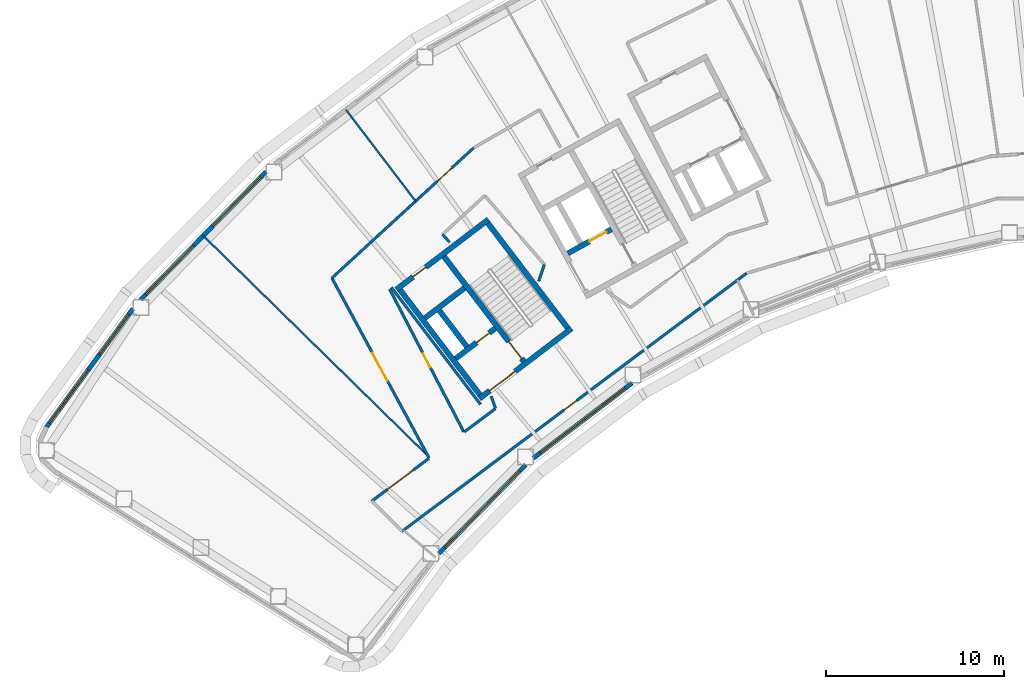
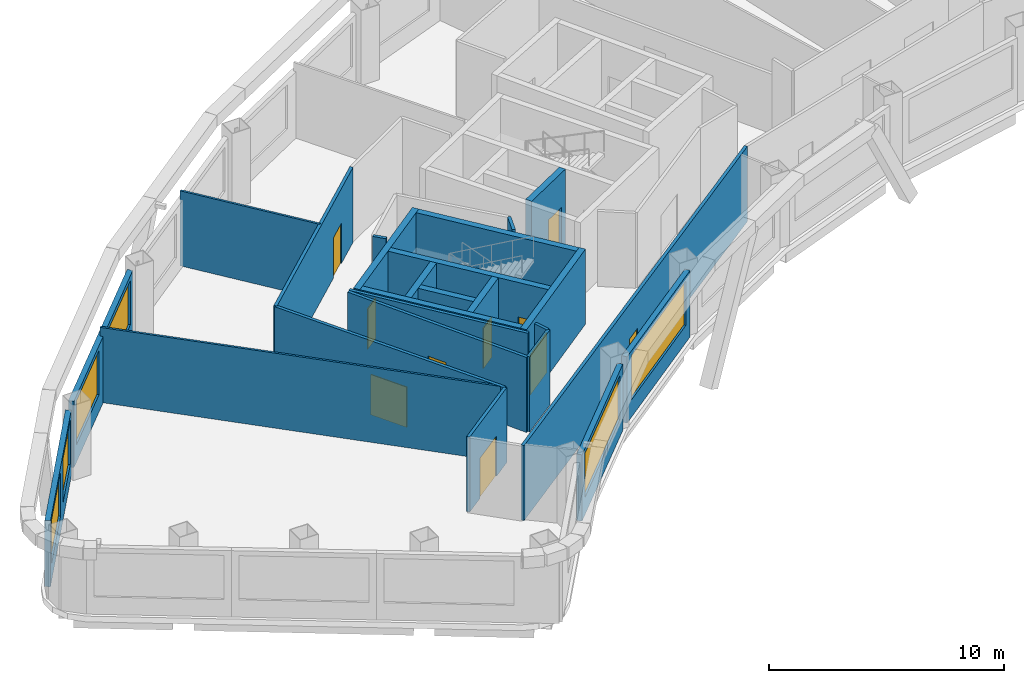
# One storey, part 5 of 16: 25 walls, 10 doors, 6 windows, 16 openings.
"""IFC4 building model written with IfcOpenShell, lengths in metres."""

from ifc_helpers import new_model, si_unit, direction, frame, frame_2d, origin, place, context, subcontext, project, spatial, rectangle, extrude, material, layer, layer_set, type_object, element, fill, save


model = new_model("IFC4")

# Units and contexts
model_context = context("Model", 3, precision=1e-05, world=origin(), true_north=direction((0.0, 1.0)))
body_context = subcontext(model_context, "Body", "Model", "MODEL_VIEW")
ifc_project = project(units=[si_unit("LENGTHUNIT", "METRE"), si_unit("AREAUNIT", "SQUARE_METRE"), si_unit("VOLUMEUNIT", "CUBIC_METRE"), si_unit("PLANEANGLEUNIT", "RADIAN"), si_unit("MASSUNIT", "GRAM", prefix="KILO")], contexts=[model_context])

# Site, building, storey
site_placement = place(None, origin())
site = spatial("IfcSite", under=ifc_project, at=site_placement, CompositionType="ELEMENT")
building_placement = place(site_placement, origin())
building = spatial("IfcBuilding", under=site, at=building_placement, Name="Tuul Gate Civic Tower", CompositionType="ELEMENT")
storey_placement = place(building_placement, frame((0.0, 0.0, 184.699951171875)))
storey = spatial("IfcBuildingStorey", under=building, at=storey_placement, Name="Level 42", CompositionType="ELEMENT", Elevation=184.699951171875)

# Wall, opening, door
ifc_material_1 = material(Name="Concrete C50/60", Category="concrete")
ifc_layer_1 = layer(ifc_material_1, 0.300048828125)
ifc_layer_set_1 = layer_set([ifc_layer_1], Name="Concrete C50/60")
wall_type_1 = type_object("IfcWallType", Name="Core wall C50/60", PredefinedType="SHEAR", material=ifc_layer_set_1)
wall_1_placement = place(storey_placement, frame((-31.19091796875, -13.669677734375, 0.0), z_axis=(0.0, 0.0, 1.0), x_axis=(-0.795606717756, -0.605813461934, 0.0)))
wall_1 = element("IfcWall", 1, at=wall_1_placement, inside=storey, type_object=wall_type_1, Name="Core wall", PredefinedType="SHEAR", context=body_context, shape_type="SweptSolid", body=[
    extrude(rectangle(XDim=6.5, YDim=0.300048828125, at=frame_2d((3.25, 0.0))), origin(), (0.0, 0.0, 1.0), 3.900146484375),
])
opening_1_placement = place(wall_1_placement, frame((3.97509765625, 0.0, 0.0)))
opening_1 = element("IfcOpeningElement", 2, at=opening_1_placement, cuts=wall_1, Name="Opening LB-W1-LOBBY-1", PredefinedType="OPENING", context=body_context, shape_type="SweptSolid", body=[
    extrude(rectangle(XDim=1.800048828125, YDim=2.10009765625, at=frame_2d((0.89990234375, 1.050048828125))), frame((0.0, 0.16015625, 0.0), z_axis=(0.0, -1.0, 0.0), x_axis=(1.0, 0.0, 0.0)), (0.0, 0.0, 1.0), 0.320068359375),
])
ifc_material_2 = material(Name="Steel", Category="steel")
door_type_1 = type_object("IfcDoorType", Name="Lobby door", OperationType="DOUBLE_DOOR_SINGLE_SWING", PredefinedType="DOOR", material=ifc_material_2)
door_1_placement = place(opening_1_placement, origin())
door_1 = element("IfcDoor", 3, at=door_1_placement, inside=storey, type_object=door_type_1, Name="Lobby door W1-LOBBY", OperationType="DOUBLE_DOOR_SINGLE_SWING", OverallHeight=2.10009765625, OverallWidth=1.800048828125, PredefinedType="DOOR", context=body_context, shape_type="SweptSolid", body=[
    extrude(rectangle(XDim=1.800048828125, YDim=2.10009765625, at=frame_2d((0.89990234375, 1.050048828125))), frame((0.0, 0.02490234375, 0.0), z_axis=(0.0, -1.0, 0.0), x_axis=(1.0, 0.0, 0.0)), (0.0, 0.0, 1.0), 0.050048828125),
])
fill(opening_1, door_1)

wall_2_placement = place(storey_placement, frame((-35.470947265625, -13.66064453125, 0.0), z_axis=(0.0, 0.0, 1.0), x_axis=(-0.795615822227, -0.605801504968, 0.0)))
wall_2 = element("IfcWall", 4, at=wall_2_placement, inside=storey, type_object=wall_type_1, Name="Core wall", PredefinedType="SHEAR", context=body_context, shape_type="SweptSolid", body=[
    extrude(rectangle(XDim=2.800048828125, YDim=0.300048828125, at=frame_2d((1.39990234375, 0.0))), origin(), (0.0, 0.0, 1.0), 3.900146484375),
])
opening_2_placement = place(wall_2_placement, frame((0.425048828125, 0.0, 0.0)))
opening_2 = element("IfcOpeningElement", 5, at=opening_2_placement, cuts=wall_2, Name="Opening FB-W1A1", PredefinedType="OPENING", context=body_context, shape_type="SweptSolid", body=[
    extrude(rectangle(XDim=0.89990234375, YDim=2.10009765625, at=frame_2d((0.449951171875, 1.050048828125))), frame((0.0, 0.16015625, 0.0), z_axis=(0.0, -1.0, 0.0), x_axis=(1.0, 0.0, 0.0)), (0.0, 0.0, 1.0), 0.320068359375),
])
ifc_material_3 = material(Name="Steel", Category="steel")
door_type_2 = type_object("IfcDoorType", Name="Store door", OperationType="NOTDEFINED", PredefinedType="DOOR", material=ifc_material_3)
door_2_placement = place(opening_2_placement, origin())
door_2 = element("IfcDoor", 6, at=door_2_placement, inside=storey, type_object=door_type_2, Name="Store door W1A1", OperationType="SINGLE_SWING_LEFT", OverallHeight=2.10009765625, OverallWidth=0.89990234375, PredefinedType="DOOR", context=body_context, shape_type="SweptSolid", body=[
    extrude(rectangle(XDim=0.89990234375, YDim=2.10009765625, at=frame_2d((0.449951171875, 1.050048828125))), frame((0.0, 0.02490234375, 0.0), z_axis=(0.0, -1.0, 0.0), x_axis=(1.0, 0.0, 0.0)), (0.0, 0.0, 1.0), 0.050048828125),
])
fill(opening_2, door_2)

# Wall
wall_3_placement = place(storey_placement, frame((-37.197509765625, -11.39306640625, 0.0), z_axis=(0.0, 0.0, 1.0), x_axis=(-0.795583820278, -0.605843531707, 0.0)))
element("IfcWall", 7, at=wall_3_placement, inside=storey, type_object=wall_type_1, Name="Core wall", PredefinedType="SHEAR", context=body_context, shape_type="SweptSolid", body=[
    extrude(rectangle(XDim=2.7998046875, YDim=0.300048828125, at=frame_2d((1.39990234375, 0.0))), origin(), (0.0, 0.0, 1.0), 3.900146484375),
])

# Wall, opening, door
wall_4_placement = place(storey_placement, frame((-35.855224609375, -7.543212890625, 0.0), z_axis=(0.0, 0.0, 1.0), x_axis=(-0.79563860527, -0.605771582202, 0.0)))
wall_4 = element("IfcWall", 8, at=wall_4_placement, inside=storey, type_object=wall_type_1, Name="Core wall", PredefinedType="SHEAR", context=body_context, shape_type="SweptSolid", body=[
    extrude(rectangle(XDim=6.5, YDim=0.300048828125, at=frame_2d((3.25, 0.0))), origin(), (0.0, 0.0, 1.0), 3.900146484375),
])
opening_3_placement = place(wall_4_placement, frame((4.425048828125, 0.0, 0.0)))
opening_3 = element("IfcOpeningElement", 9, at=opening_3_placement, cuts=wall_4, Name="Opening O-D25", PredefinedType="OPENING", context=body_context, shape_type="SweptSolid", body=[
    extrude(rectangle(XDim=0.89990234375, YDim=2.10009765625, at=frame_2d((0.449951171875, 1.050048828125))), frame((0.0, 0.16015625, 0.0), z_axis=(0.0, -1.0, 0.0), x_axis=(1.0, 0.0, 0.0)), (0.0, 0.0, 1.0), 0.320068359375),
])
ifc_material_4 = material(Name="Timber door leaf", Category="wood")
door_type_3 = type_object("IfcDoorType", Name="Door D09", OperationType="NOTDEFINED", PredefinedType="DOOR", material=ifc_material_4)
door_3_placement = place(opening_3_placement, origin())
door_3 = element("IfcDoor", 10, at=door_3_placement, inside=storey, type_object=door_type_3, Name="Door O-D25", OperationType="SINGLE_SWING_RIGHT", OverallHeight=2.10009765625, OverallWidth=0.89990234375, PredefinedType="DOOR", context=body_context, shape_type="SweptSolid", body=[
    extrude(rectangle(XDim=0.89990234375, YDim=2.10009765625, at=frame_2d((0.449951171875, 1.050048828125))), frame((0.0, 0.02490234375, 0.0), z_axis=(0.0, -1.0, 0.0), x_axis=(1.0, 0.0, 0.0)), (0.0, 0.0, 1.0), 0.050048828125),
])
fill(opening_3, door_3)

# Wall
wall_5_placement = place(storey_placement, frame((-31.401123046875, -13.64111328125, 0.0), z_axis=(0.0, 0.0, 1.0), x_axis=(-0.605769822278, 0.795639945213, 0.0)))
element("IfcWall", 11, at=wall_5_placement, inside=storey, type_object=wall_type_1, Name="Core wall", PredefinedType="SHEAR", context=body_context, shape_type="SweptSolid", body=[
    extrude(rectangle(XDim=7.39990234375, YDim=0.300048828125, at=frame_2d((3.699951171875, 0.0))), origin(), (0.0, 0.0, 1.0), 3.900146484375),
])

# Wall, opening, door
wall_6_placement = place(storey_placement, frame((-33.867431640625, -15.51904296875, 0.0), z_axis=(0.0, 0.0, 1.0), x_axis=(-0.605769822278, 0.795639945213, 0.0)))
wall_6 = element("IfcWall", 12, at=wall_6_placement, inside=storey, type_object=wall_type_1, Name="Core wall", PredefinedType="SHEAR", context=body_context, shape_type="SweptSolid", body=[
    extrude(rectangle(XDim=7.39990234375, YDim=0.300048828125, at=frame_2d((3.699951171875, 0.0))), origin(), (0.0, 0.0, 1.0), 3.900146484375),
])
opening_4_placement = place(wall_6_placement, frame((0.199951171875, 0.0, 0.0)))
opening_4 = element("IfcOpeningElement", 13, at=opening_4_placement, cuts=wall_6, Name="Opening SD-ST-1", PredefinedType="OPENING", context=body_context, shape_type="SweptSolid", body=[
    extrude(rectangle(XDim=1.199951171875, YDim=2.10009765625, at=frame_2d((0.60009765625, 1.050048828125))), frame((0.0, 0.16015625, 0.0), z_axis=(0.0, -1.0, 0.0), x_axis=(1.0, 0.0, 0.0)), (0.0, 0.0, 1.0), 0.320068359375),
])
ifc_material_5 = material(Name="Steel", Category="steel")
door_type_4 = type_object("IfcDoorType", Name="Stair door", OperationType="NOTDEFINED", PredefinedType="DOOR", material=ifc_material_5)
door_4_placement = place(opening_4_placement, origin())
door_4 = element("IfcDoor", 14, at=door_4_placement, inside=storey, type_object=door_type_4, Name="Stair door ST-1", OperationType="SINGLE_SWING_LEFT", OverallHeight=2.10009765625, OverallWidth=1.199951171875, PredefinedType="DOOR", context=body_context, shape_type="SweptSolid", body=[
    extrude(rectangle(XDim=1.199951171875, YDim=2.10009765625, at=frame_2d((0.60009765625, 1.050048828125))), frame((0.0, 0.02490234375, 0.0), z_axis=(0.0, -1.0, 0.0), x_axis=(1.0, 0.0, 0.0)), (0.0, 0.0, 1.0), 0.050048828125),
])
fill(opening_4, door_4)

# Walls
wall_7_placement = place(storey_placement, frame((-37.073486328125, -14.6923828125, 0.0), z_axis=(0.0, 0.0, 1.0), x_axis=(-0.605728760074, 0.79567120673, 0.0)))
element("IfcWall", 15, at=wall_7_placement, inside=storey, type_object=wall_type_1, Name="Core wall", PredefinedType="SHEAR", context=body_context, shape_type="SweptSolid", body=[
    extrude(rectangle(XDim=2.550048828125, YDim=0.300048828125, at=frame_2d((1.27490234375, 0.0))), origin(), (0.0, 0.0, 1.0), 3.900146484375),
])
wall_8_placement = place(storey_placement, frame((-36.333984375, -17.397216796875, 0.0), z_axis=(0.0, 0.0, 1.0), x_axis=(-0.605753921168, 0.795652051458, 0.0)))
element("IfcWall", 16, at=wall_8_placement, inside=storey, type_object=wall_type_1, Name="Core wall", PredefinedType="SHEAR", context=body_context, shape_type="SweptSolid", body=[
    extrude(rectangle(XDim=7.400146484375, YDim=0.300048828125, at=frame_2d((3.7001953125, 0.0))), origin(), (0.0, 0.0, 1.0), 3.900146484375),
])

# Wall, opening, door
wall_9_placement = place(storey_placement, frame((-28.94580078125, -8.090087890625, 0.0), z_axis=(0.0, 0.0, 1.0), x_axis=(-0.874629840737, -0.484791338301, 0.0)))
wall_9 = element("IfcWall", 17, at=wall_9_placement, inside=storey, type_object=wall_type_1, Name="Core wall", PredefinedType="SHEAR", context=body_context, shape_type="SweptSolid", body=[
    extrude(rectangle(XDim=2.800048828125, YDim=0.300048828125, at=frame_2d((1.39990234375, 0.0))), origin(), (0.0, 0.0, 1.0), 3.900146484375),
])
opening_5_placement = place(wall_9_placement, frame((0.324951171875, 0.0, 0.0)))
opening_5 = element("IfcOpeningElement", 18, at=opening_5_placement, cuts=wall_9, Name="Opening LD-FF-1", PredefinedType="OPENING", context=body_context, shape_type="SweptSolid", body=[
    extrude(rectangle(XDim=1.10009765625, YDim=2.10009765625, at=frame_2d((0.550048828125, 1.050048828125))), frame((0.0, 0.16015625, 0.0), z_axis=(0.0, -1.0, 0.0), x_axis=(1.0, 0.0, 0.0)), (0.0, 0.0, 1.0), 0.320068359375),
])
ifc_material_6 = material(Name="Stainless steel", Category="steel")
door_type_5 = type_object("IfcDoorType", Name="Landing door", OperationType="DOUBLE_DOOR_SLIDING", PredefinedType="DOOR", material=ifc_material_6)
door_5_placement = place(opening_5_placement, origin())
door_5 = element("IfcDoor", 19, at=door_5_placement, inside=storey, type_object=door_type_5, Name="Fire-fighting lift FF-1 landing door", OperationType="DOUBLE_DOOR_SLIDING", OverallHeight=2.10009765625, OverallWidth=1.10009765625, PredefinedType="DOOR", context=body_context, shape_type="SweptSolid", body=[
    extrude(rectangle(XDim=1.10009765625, YDim=2.10009765625, at=frame_2d((0.550048828125, 1.050048828125))), frame((0.0, 0.02490234375, 0.0), z_axis=(0.0, -1.0, 0.0), x_axis=(1.0, 0.0, 0.0)), (0.0, 0.0, 1.0), 0.050048828125),
])
fill(opening_5, door_5)

ifc_material_7 = material(Name="Gypsum board partition")
ifc_layer_2 = layer(ifc_material_7, 0.14990234375)
ifc_layer_set_2 = layer_set([ifc_layer_2], Name="Gypsum board partition")
wall_type_2 = type_object("IfcWallType", Name="Corridor wall P150", PredefinedType="PARTITIONING", material=ifc_layer_set_2)
wall_10_placement = place(storey_placement, frame((-42.40576171875, -23.3671875, 0.0), z_axis=(0.0, 0.0, 1.0), x_axis=(0.800709014442, 0.599053481912, 0.0)))
wall_10 = element("IfcWall", 20, at=wall_10_placement, inside=storey, type_object=wall_type_2, Name="p049", PredefinedType="PARTITIONING", context=body_context, shape_type="SweptSolid", body=[
    extrude(rectangle(XDim=4.0048828125, YDim=0.14990234375, at=frame_2d((2.00244140625, 0.0))), origin(), (0.0, 0.0, 1.0), 3.900146484375),
])
opening_6_placement = place(wall_10_placement, frame((1.1025390625, 0.0, 0.0)))
opening_6 = element("IfcOpeningElement", 21, at=opening_6_placement, cuts=wall_10, Name="Opening O-D18", PredefinedType="OPENING", context=body_context, shape_type="SweptSolid", body=[
    extrude(rectangle(XDim=1.800048828125, YDim=2.10009765625, at=frame_2d((0.89990234375, 1.050048828125))), frame((0.0, 0.0849609375, 0.0), z_axis=(0.0, -1.0, 0.0), x_axis=(1.0, 0.0, 0.0)), (0.0, 0.0, 1.0), 0.169921875),
])
ifc_material_8 = material(Name="Timber door leaf, double", Category="wood")
door_type_6 = type_object("IfcDoorType", Name="Door D18", OperationType="DOUBLE_DOOR_SINGLE_SWING", PredefinedType="DOOR", material=ifc_material_8)
door_6_placement = place(opening_6_placement, origin())
door_6 = element("IfcDoor", 22, at=door_6_placement, inside=storey, type_object=door_type_6, Name="Door O-D18", OperationType="DOUBLE_DOOR_SINGLE_SWING", OverallHeight=2.10009765625, OverallWidth=1.800048828125, PredefinedType="DOOR", context=body_context, shape_type="SweptSolid", body=[
    extrude(rectangle(XDim=1.800048828125, YDim=2.10009765625, at=frame_2d((0.89990234375, 1.050048828125))), frame((0.0, 0.02490234375, 0.0), z_axis=(0.0, -1.0, 0.0), x_axis=(1.0, 0.0, 0.0)), (0.0, 0.0, 1.0), 0.050048828125),
])
fill(opening_6, door_6)

# Wall
wall_11_placement = place(storey_placement, frame((-37.2138671875, -19.48291015625, 0.0), z_axis=(0.0, 0.0, 1.0), x_axis=(0.800732897989, 0.599021557274, 0.0)))
element("IfcWall", 23, at=wall_11_placement, inside=storey, type_object=wall_type_2, Name="p050", PredefinedType="PARTITIONING", context=body_context, shape_type="SweptSolid", body=[
    extrude(rectangle(XDim=2.19677734375, YDim=0.14990234375, at=frame_2d((1.098388671875, 0.0))), origin(), (0.0, 0.0, 1.0), 3.900146484375),
])

# Wall, opening, door
wall_12_placement = place(storey_placement, frame((-44.6494140625, -10.834228515625, 0.0), z_axis=(0.0, 0.0, 1.0), x_axis=(0.736637538175, 0.676287762237, 0.0)))
wall_12 = element("IfcWall", 24, at=wall_12_placement, inside=storey, type_object=wall_type_2, Name="p056", PredefinedType="PARTITIONING", context=body_context, shape_type="SweptSolid", body=[
    extrude(rectangle(XDim=10.8134765625, YDim=0.14990234375, at=frame_2d((5.40673828125, 0.0))), origin(), (0.0, 0.0, 1.0), 3.900146484375),
])
opening_7_placement = place(wall_12_placement, frame((8.04833984375, 0.0, 0.0)))
opening_7 = element("IfcOpeningElement", 25, at=opening_7_placement, cuts=wall_12, Name="Opening O-D16", PredefinedType="OPENING", context=body_context, shape_type="SweptSolid", body=[
    extrude(rectangle(XDim=1.10009765625, YDim=2.10009765625, at=frame_2d((0.550048828125, 1.050048828125))), frame((0.0, 0.0849609375, 0.0), z_axis=(0.0, -1.0, 0.0), x_axis=(1.0, 0.0, 0.0)), (0.0, 0.0, 1.0), 0.169921875),
])
ifc_material_9 = material(Name="Timber door leaf", Category="wood")
door_type_7 = type_object("IfcDoorType", Name="Door D11", OperationType="NOTDEFINED", PredefinedType="DOOR", material=ifc_material_9)
door_7_placement = place(opening_7_placement, origin())
door_7 = element("IfcDoor", 26, at=door_7_placement, inside=storey, type_object=door_type_7, Name="Door O-D16", OperationType="SINGLE_SWING_RIGHT", OverallHeight=2.10009765625, OverallWidth=1.10009765625, PredefinedType="DOOR", context=body_context, shape_type="SweptSolid", body=[
    extrude(rectangle(XDim=1.10009765625, YDim=2.10009765625, at=frame_2d((0.550048828125, 1.050048828125))), frame((0.0, 0.02490234375, 0.0), z_axis=(0.0, -1.0, 0.0), x_axis=(1.0, 0.0, 0.0)), (0.0, 0.0, 1.0), 0.050048828125),
])
fill(opening_7, door_7)

wall_13_placement = place(storey_placement, frame((-44.649658203125, -10.835205078125, 0.0), z_axis=(0.0, 0.0, 1.0), x_axis=(0.47506006994, -0.879953368054, 0.0)))
wall_13 = element("IfcWall", 27, at=wall_13_placement, inside=storey, type_object=wall_type_2, Name="p058", PredefinedType="PARTITIONING", context=body_context, shape_type="SweptSolid", body=[
    extrude(rectangle(XDim=11.489013671875, YDim=0.14990234375, at=frame_2d((5.74462890625, 0.0))), origin(), (0.0, 0.0, 1.0), 3.900146484375),
])
opening_8_placement = place(wall_13_placement, frame((4.783935546875, 0.0, 0.0)))
opening_8 = element("IfcOpeningElement", 28, at=opening_8_placement, cuts=wall_13, Name="Opening O-D17", PredefinedType="OPENING", context=body_context, shape_type="SweptSolid", body=[
    extrude(rectangle(XDim=1.800048828125, YDim=2.10009765625, at=frame_2d((0.89990234375, 1.050048828125))), frame((0.0, 0.0849609375, 0.0), z_axis=(0.0, -1.0, 0.0), x_axis=(1.0, 0.0, 0.0)), (0.0, 0.0, 1.0), 0.169921875),
])
door_8_placement = place(opening_8_placement, frame((1.800048828125, 0.0, 0.0), z_axis=(0.0, 0.0, 1.0), x_axis=(-1.0, 0.0, 0.0)))
door_8 = element("IfcDoor", 29, at=door_8_placement, inside=storey, type_object=door_type_6, Name="Door O-D17", OperationType="DOUBLE_DOOR_SINGLE_SWING", OverallHeight=2.10009765625, OverallWidth=1.800048828125, PredefinedType="DOOR", context=body_context, shape_type="SweptSolid", body=[
    extrude(rectangle(XDim=1.800048828125, YDim=2.10009765625, at=frame_2d((0.900146484375, 1.050048828125))), frame((0.0, 0.02490234375, 0.0), z_axis=(0.0, -1.0, 0.0), x_axis=(1.0, 0.0, 0.0)), (0.0, 0.0, 1.0), 0.050048828125),
])
fill(opening_8, door_8)

wall_14_placement = place(storey_placement, frame((-40.71044921875, -25.06787109375, 0.0), z_axis=(0.0, 0.0, 1.0), x_axis=(0.800397176277, 0.599470066148, 0.0)))
wall_14 = element("IfcWall", 30, at=wall_14_placement, inside=storey, type_object=wall_type_2, Name="p061", PredefinedType="PARTITIONING", context=body_context, shape_type="SweptSolid", body=[
    extrude(rectangle(XDim=24.18359375, YDim=0.14990234375, at=frame_2d((12.091796875, 0.0))), origin(), (0.0, 0.0, 1.0), 3.900146484375),
])
opening_9_placement = place(wall_14_placement, frame((11.374755859375, 0.0, 0.0)))
opening_9 = element("IfcOpeningElement", 31, at=opening_9_placement, cuts=wall_14, Name="Opening O-D21", PredefinedType="OPENING", context=body_context, shape_type="SweptSolid", body=[
    extrude(rectangle(XDim=0.89990234375, YDim=2.10009765625, at=frame_2d((0.449951171875, 1.050048828125))), frame((0.0, 0.0849609375, 0.0), z_axis=(0.0, -1.0, 0.0), x_axis=(1.0, 0.0, 0.0)), (0.0, 0.0, 1.0), 0.169921875),
])
door_9_placement = place(opening_9_placement, frame((0.89990234375, 0.0, 0.0), z_axis=(0.0, 0.0, 1.0), x_axis=(-1.0, 0.0, 0.0)))
door_9 = element("IfcDoor", 32, at=door_9_placement, inside=storey, type_object=door_type_3, Name="Door O-D21", OperationType="SINGLE_SWING_LEFT", OverallHeight=2.10009765625, OverallWidth=0.89990234375, PredefinedType="DOOR", context=body_context, shape_type="SweptSolid", body=[
    extrude(rectangle(XDim=0.89990234375, YDim=2.10009765625, at=frame_2d((0.449951171875, 1.050048828125))), frame((0.0, 0.02490234375, 0.0), z_axis=(0.0, -1.0, 0.0), x_axis=(1.0, 0.0, 0.0)), (0.0, 0.0, 1.0), 0.050048828125),
])
fill(opening_9, door_9)

# Walls
wall_15_placement = place(storey_placement, frame((-33.025390625, -11.012451171875, 0.0), z_axis=(0.0, 0.0, 1.0), x_axis=(0.315856146292, 0.94880709043, 0.0)))
element("IfcWall", 33, at=wall_15_placement, inside=storey, type_object=wall_type_2, Name="p068", PredefinedType="PARTITIONING", context=body_context, shape_type="SweptSolid", body=[
    extrude(rectangle(XDim=0.985595703125, YDim=0.14990234375, at=frame_2d((0.49267578125, 0.0))), origin(), (0.0, 0.0, 1.0), 3.900146484375),
])
wall_16_placement = place(storey_placement, frame((-38.436279296875, -8.38818359375, 0.0), z_axis=(0.0, 0.0, 1.0), x_axis=(0.676468695749, -0.736471386866, 0.0)))
element("IfcWall", 34, at=wall_16_placement, inside=storey, type_object=wall_type_2, Name="p069", PredefinedType="PARTITIONING", context=body_context, shape_type="SweptSolid", body=[
    extrude(rectangle(XDim=0.593994140625, YDim=0.14990234375, at=frame_2d((0.296875, 0.0))), origin(), (0.0, 0.0, 1.0), 3.900146484375),
])
wall_17_placement = place(storey_placement, frame((-35.696044921875, -17.4775390625, 0.0), z_axis=(0.0, 0.0, 1.0), x_axis=(0.324534368994, -0.945873904567, 0.0)))
element("IfcWall", 35, at=wall_17_placement, inside=storey, type_object=wall_type_2, Name="p071", PredefinedType="PARTITIONING", context=body_context, shape_type="SweptSolid", body=[
    extrude(rectangle(XDim=0.713134765625, YDim=0.14990234375, at=frame_2d((0.3564453125, 0.0))), origin(), (0.0, 0.0, 1.0), 3.900146484375),
])

# Wall, opening, door
wall_18_placement = place(storey_placement, frame((-41.40966796875, -11.457275390625, 0.0), z_axis=(0.0, 0.0, 1.0), x_axis=(0.461055857923, -0.887371115078, 0.0)))
wall_18 = element("IfcWall", 36, at=wall_18_placement, inside=storey, type_object=wall_type_2, Name="p072", PredefinedType="PARTITIONING", context=body_context, shape_type="SweptSolid", body=[
    extrude(rectangle(XDim=9.037353515625, YDim=0.14990234375, at=frame_2d((4.5185546875, 0.0))), origin(), (0.0, 0.0, 1.0), 3.900146484375),
])
opening_10_placement = place(wall_18_placement, frame((4.06884765625, 0.0, 0.0)))
opening_10 = element("IfcOpeningElement", 37, at=opening_10_placement, cuts=wall_18, Name="Opening O-D23", PredefinedType="OPENING", context=body_context, shape_type="SweptSolid", body=[
    extrude(rectangle(XDim=0.89990234375, YDim=2.10009765625, at=frame_2d((0.449951171875, 1.050048828125))), frame((0.0, 0.0849609375, 0.0), z_axis=(0.0, -1.0, 0.0), x_axis=(1.0, 0.0, 0.0)), (0.0, 0.0, 1.0), 0.169921875),
])
door_10_placement = place(opening_10_placement, frame((0.89990234375, 0.0, 0.0), z_axis=(0.0, 0.0, 1.0), x_axis=(-1.0, 0.0, 0.0)))
door_10 = element("IfcDoor", 38, at=door_10_placement, inside=storey, type_object=door_type_3, Name="Door O-D23", OperationType="SINGLE_SWING_LEFT", OverallHeight=2.10009765625, OverallWidth=0.89990234375, PredefinedType="DOOR", context=body_context, shape_type="SweptSolid", body=[
    extrude(rectangle(XDim=0.89990234375, YDim=2.10009765625, at=frame_2d((0.449951171875, 1.050048828125))), frame((0.0, 0.02490234375, 0.0), z_axis=(0.0, -1.0, 0.0), x_axis=(1.0, 0.0, 0.0)), (0.0, 0.0, 1.0), 0.050048828125),
])
fill(opening_10, door_10)

# Wall
wall_19_placement = place(storey_placement, frame((-41.31005859375, -11.357421875, 0.0), z_axis=(0.0, 0.0, 1.0), x_axis=(0.605761214883, -0.79564649848, 0.0)))
element("IfcWall", 39, at=wall_19_placement, inside=storey, type_object=wall_type_2, Name="p073", PredefinedType="PARTITIONING", context=body_context, shape_type="SweptSolid", body=[
    extrude(rectangle(XDim=8.269775390625, YDim=0.14990234375, at=frame_2d((4.134765625, 0.0))), origin(), (0.0, 0.0, 1.0), 3.900146484375),
])

# Wall, openings, windows
ifc_material_10 = material(Name="Precast concrete C40/50", Category="concrete")
ifc_layer_3 = layer(ifc_material_10, 0.25)
ifc_layer_set_3 = layer_set([ifc_layer_3], Name="Precast concrete C40/50")
wall_type_3 = type_object("IfcWallType", Name="External wall", PredefinedType="STANDARD", material=ifc_layer_set_3)
wall_20_placement = place(storey_placement, frame((-48.35791015625, -4.87060546875, 0.0), z_axis=(0.0, 0.0, 1.0), x_axis=(-0.700041790386, -0.714101877685, 0.0)))
wall_20 = element("IfcWall", 40, at=wall_20_placement, inside=storey, type_object=wall_type_3, Name="External wall", PredefinedType="STANDARD", context=body_context, shape_type="SweptSolid", body=[
    extrude(rectangle(XDim=10.0537109375, YDim=0.25, at=frame_2d((5.02685546875, 0.0))), origin(), (0.0, 0.0, 1.0), 3.449951171875),
])
opening_11_placement = place(wall_20_placement, frame((0.416015625, 0.0, 0.89990234375)))
opening_11 = element("IfcOpeningElement", 41, at=opening_11_placement, cuts=wall_20, Name="Opening W22", PredefinedType="OPENING", context=body_context, shape_type="SweptSolid", body=[
    extrude(rectangle(XDim=3.85009765625, YDim=2.300048828125, at=frame_2d((1.925048828125, 1.14990234375))), frame((0.0, 0.135009765625, 0.0), z_axis=(0.0, -1.0, 0.0), x_axis=(1.0, 0.0, 0.0)), (0.0, 0.0, 1.0), 0.27001953125),
])
opening_12_placement = place(wall_20_placement, frame((5.787109375, 0.0, 0.89990234375)))
opening_12 = element("IfcOpeningElement", 42, at=opening_12_placement, cuts=wall_20, Name="Opening W22", PredefinedType="OPENING", context=body_context, shape_type="SweptSolid", body=[
    extrude(rectangle(XDim=3.85009765625, YDim=2.300048828125, at=frame_2d((1.925048828125, 1.14990234375))), frame((0.0, 0.135009765625, 0.0), z_axis=(0.0, -1.0, 0.0), x_axis=(1.0, 0.0, 0.0)), (0.0, 0.0, 1.0), 0.27001953125),
])
ifc_material_11 = material(Name="Glass", Category="glass")
window_type_1 = type_object("IfcWindowType", Name="Window W22 3850 x 2300", PartitioningType="SINGLE_PANEL", PredefinedType="WINDOW", material=ifc_material_11)
window_1_placement = place(opening_11_placement, origin())
window_1 = element("IfcWindow", 43, at=window_1_placement, inside=storey, type_object=window_type_1, Name="Window", OverallHeight=2.300048828125, OverallWidth=3.85009765625, PartitioningType="SINGLE_PANEL", PredefinedType="WINDOW", context=body_context, shape_type="SweptSolid", body=[
    extrude(rectangle(XDim=3.85009765625, YDim=2.300048828125, at=frame_2d((1.925048828125, 1.14990234375))), frame((0.0, 0.030029296875, 0.0), z_axis=(0.0, -1.0, 0.0), x_axis=(1.0, 0.0, 0.0)), (0.0, 0.0, 1.0), 0.06005859375),
])
fill(opening_11, window_1)
window_2_placement = place(opening_12_placement, origin())
window_2 = element("IfcWindow", 44, at=window_2_placement, inside=storey, type_object=window_type_1, Name="Window", OverallHeight=2.300048828125, OverallWidth=3.85009765625, PartitioningType="SINGLE_PANEL", PredefinedType="WINDOW", context=body_context, shape_type="SweptSolid", body=[
    extrude(rectangle(XDim=3.85009765625, YDim=2.300048828125, at=frame_2d((1.925048828125, 1.14990234375))), frame((0.0, 0.030029296875, 0.0), z_axis=(0.0, -1.0, 0.0), x_axis=(1.0, 0.0, 0.0)), (0.0, 0.0, 1.0), 0.06005859375),
])
fill(opening_12, window_2)

wall_21_placement = place(storey_placement, frame((-55.83203125, -12.565185546875, 0.0), z_axis=(0.0, 0.0, 1.0), x_axis=(-0.589755466838, -0.80758187779, 0.0)))
wall_21 = element("IfcWall", 45, at=wall_21_placement, inside=storey, type_object=wall_type_3, Name="External wall", PredefinedType="STANDARD", context=body_context, shape_type="SweptSolid", body=[
    extrude(rectangle(XDim=8.25244140625, YDim=0.25, at=frame_2d((4.126220703125, 0.0))), origin(), (0.0, 0.0, 1.0), 3.449951171875),
])
opening_13_placement = place(wall_21_placement, frame((0.39990234375, 0.0, 0.89990234375)))
opening_13 = element("IfcOpeningElement", 46, at=opening_13_placement, cuts=wall_21, Name="Opening W23", PredefinedType="OPENING", context=body_context, shape_type="SweptSolid", body=[
    extrude(rectangle(XDim=2.800048828125, YDim=2.300048828125, at=frame_2d((1.39990234375, 1.14990234375))), frame((0.0, 0.135009765625, 0.0), z_axis=(0.0, -1.0, 0.0), x_axis=(1.0, 0.0, 0.0)), (0.0, 0.0, 1.0), 0.27001953125),
])
opening_14_placement = place(wall_21_placement, frame((4.251708984375, 0.0, 0.89990234375)))
opening_14 = element("IfcOpeningElement", 47, at=opening_14_placement, cuts=wall_21, Name="Opening W21", PredefinedType="OPENING", context=body_context, shape_type="SweptSolid", body=[
    extrude(rectangle(XDim=3.699951171875, YDim=2.300048828125, at=frame_2d((1.85009765625, 1.14990234375))), frame((0.0, 0.135009765625, 0.0), z_axis=(0.0, -1.0, 0.0), x_axis=(1.0, 0.0, 0.0)), (0.0, 0.0, 1.0), 0.27001953125),
])
ifc_material_12 = material(Name="Glass", Category="glass")
window_type_2 = type_object("IfcWindowType", Name="Window W21 3700 x 2300", PartitioningType="SINGLE_PANEL", PredefinedType="WINDOW", material=ifc_material_12)
window_3_placement = place(opening_14_placement, origin())
window_3 = element("IfcWindow", 48, at=window_3_placement, inside=storey, type_object=window_type_2, Name="Window", OverallHeight=2.300048828125, OverallWidth=3.699951171875, PartitioningType="SINGLE_PANEL", PredefinedType="WINDOW", context=body_context, shape_type="SweptSolid", body=[
    extrude(rectangle(XDim=3.699951171875, YDim=2.300048828125, at=frame_2d((1.85009765625, 1.14990234375))), frame((0.0, 0.030029296875, 0.0), z_axis=(0.0, -1.0, 0.0), x_axis=(1.0, 0.0, 0.0)), (0.0, 0.0, 1.0), 0.06005859375),
])
fill(opening_14, window_3)
ifc_material_13 = material(Name="Glass", Category="glass")
window_type_3 = type_object("IfcWindowType", Name="Window W23 2800 x 2300", PartitioningType="SINGLE_PANEL", PredefinedType="WINDOW", material=ifc_material_13)
window_4_placement = place(opening_13_placement, origin())
window_4 = element("IfcWindow", 49, at=window_4_placement, inside=storey, type_object=window_type_3, Name="Window", OverallHeight=2.300048828125, OverallWidth=2.800048828125, PartitioningType="SINGLE_PANEL", PredefinedType="WINDOW", context=body_context, shape_type="SweptSolid", body=[
    extrude(rectangle(XDim=2.800048828125, YDim=2.300048828125, at=frame_2d((1.39990234375, 1.14990234375))), frame((0.0, 0.030029296875, 0.0), z_axis=(0.0, -1.0, 0.0), x_axis=(1.0, 0.0, 0.0)), (0.0, 0.0, 1.0), 0.06005859375),
])
fill(opening_13, window_4)

# Wall, opening, window
wall_22_placement = place(storey_placement, frame((-38.64111328125, -26.313232421875, 0.0), z_axis=(0.0, 0.0, 1.0), x_axis=(0.700101181113, 0.71404365147, 0.0)))
wall_22 = element("IfcWall", 50, at=wall_22_placement, inside=storey, type_object=wall_type_3, Name="External wall", PredefinedType="STANDARD", context=body_context, shape_type="SweptSolid", body=[
    extrude(rectangle(XDim=6.96923828125, YDim=0.25, at=frame_2d((3.484619140625, 0.0))), origin(), (0.0, 0.0, 1.0), 3.449951171875),
])
opening_15_placement = place(wall_22_placement, frame((0.484130859375, 0.0, 0.89990234375)))
opening_15 = element("IfcOpeningElement", 51, at=opening_15_placement, cuts=wall_22, Name="Opening W26", PredefinedType="OPENING", context=body_context, shape_type="SweptSolid", body=[
    extrude(rectangle(XDim=6.0, YDim=2.300048828125, at=frame_2d((3.0, 1.14990234375))), frame((0.0, 0.135009765625, 0.0), z_axis=(0.0, -1.0, 0.0), x_axis=(1.0, 0.0, 0.0)), (0.0, 0.0, 1.0), 0.27001953125),
])
ifc_material_14 = material(Name="Glass", Category="glass")
window_type_4 = type_object("IfcWindowType", Name="Window W26 6000 x 2300", PartitioningType="SINGLE_PANEL", PredefinedType="WINDOW", material=ifc_material_14)
window_5_placement = place(opening_15_placement, origin())
window_5 = element("IfcWindow", 52, at=window_5_placement, inside=storey, type_object=window_type_4, Name="Window", OverallHeight=2.300048828125, OverallWidth=6.0, PartitioningType="SINGLE_PANEL", PredefinedType="WINDOW", context=body_context, shape_type="SweptSolid", body=[
    extrude(rectangle(XDim=6.0, YDim=2.300048828125, at=frame_2d((3.0, 1.14990234375))), frame((0.0, 0.030029296875, 0.0), z_axis=(0.0, -1.0, 0.0), x_axis=(1.0, 0.0, 0.0)), (0.0, 0.0, 1.0), 0.06005859375),
])
fill(opening_15, window_5)

wall_23_placement = place(storey_placement, frame((-33.326904296875, -20.953857421875, 0.0), z_axis=(0.0, 0.0, 1.0), x_axis=(0.795583108554, 0.605844466331, 0.0)))
wall_23 = element("IfcWall", 53, at=wall_23_placement, inside=storey, type_object=wall_type_3, Name="External wall", PredefinedType="STANDARD", context=body_context, shape_type="SweptSolid", body=[
    extrude(rectangle(XDim=6.95849609375, YDim=0.25, at=frame_2d((3.479248046875, 0.0))), origin(), (0.0, 0.0, 1.0), 3.449951171875),
])
opening_16_placement = place(wall_23_placement, frame((0.478271484375, 0.0, 0.89990234375)))
opening_16 = element("IfcOpeningElement", 54, at=opening_16_placement, cuts=wall_23, Name="Opening W26", PredefinedType="OPENING", context=body_context, shape_type="SweptSolid", body=[
    extrude(rectangle(XDim=6.0, YDim=2.300048828125, at=frame_2d((3.0, 1.14990234375))), frame((0.0, 0.135009765625, 0.0), z_axis=(0.0, -1.0, 0.0), x_axis=(1.0, 0.0, 0.0)), (0.0, 0.0, 1.0), 0.27001953125),
])
window_6_placement = place(opening_16_placement, origin())
window_6 = element("IfcWindow", 55, at=window_6_placement, inside=storey, type_object=window_type_4, Name="Window", OverallHeight=2.300048828125, OverallWidth=6.0, PartitioningType="SINGLE_PANEL", PredefinedType="WINDOW", context=body_context, shape_type="SweptSolid", body=[
    extrude(rectangle(XDim=6.0, YDim=2.300048828125, at=frame_2d((3.0, 1.14990234375))), frame((0.0, 0.030029296875, 0.0), z_axis=(0.0, -1.0, 0.0), x_axis=(1.0, 0.0, 0.0)), (0.0, 0.0, 1.0), 0.06005859375),
])
fill(opening_16, window_6)

# Walls
ifc_material_15 = material(Name="Gypsum board partition")
ifc_layer_4 = layer(ifc_material_15, 0.10009765625)
ifc_layer_set_4 = layer_set([ifc_layer_4], Name="Gypsum board partition")
wall_type_4 = type_object("IfcWallType", Name="Partition P100", PredefinedType="PARTITIONING", material=ifc_layer_set_4)
wall_24_placement = place(storey_placement, frame((-43.85986328125, -1.378662109375, 0.0), z_axis=(0.0, 0.0, 1.0), x_axis=(0.605790349932, -0.795624315823, 0.0)))
element("IfcWall", 56, at=wall_24_placement, inside=storey, type_object=wall_type_4, Name="p053", PredefinedType="PARTITIONING", context=body_context, shape_type="SweptSolid", body=[
    extrude(rectangle(XDim=6.458740234375, YDim=0.10009765625, at=frame_2d((3.2294921875, 0.0))), origin(), (0.0, 0.0, 1.0), 3.900146484375),
])
wall_25_placement = place(storey_placement, frame((-51.880615234375, -8.456787109375, 0.0), z_axis=(0.0, 0.0, 1.0), x_axis=(0.714131690163, -0.700011377839, 0.0)))
element("IfcWall", 57, at=wall_25_placement, inside=storey, type_object=wall_type_4, Name="p057", PredefinedType="PARTITIONING", context=body_context, shape_type="SweptSolid", body=[
    extrude(rectangle(XDim=17.687744140625, YDim=0.10009765625, at=frame_2d((8.84375, 0.0))), origin(), (0.0, 0.0, 1.0), 3.900146484375),
])

save(model, "model.ifc")
